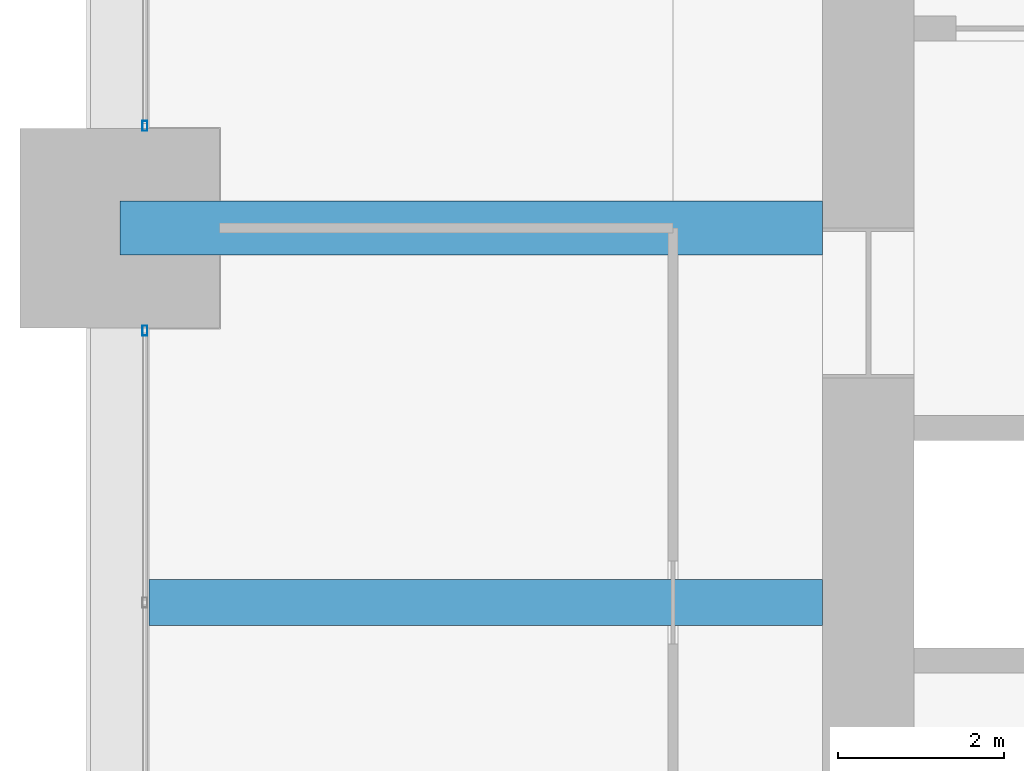
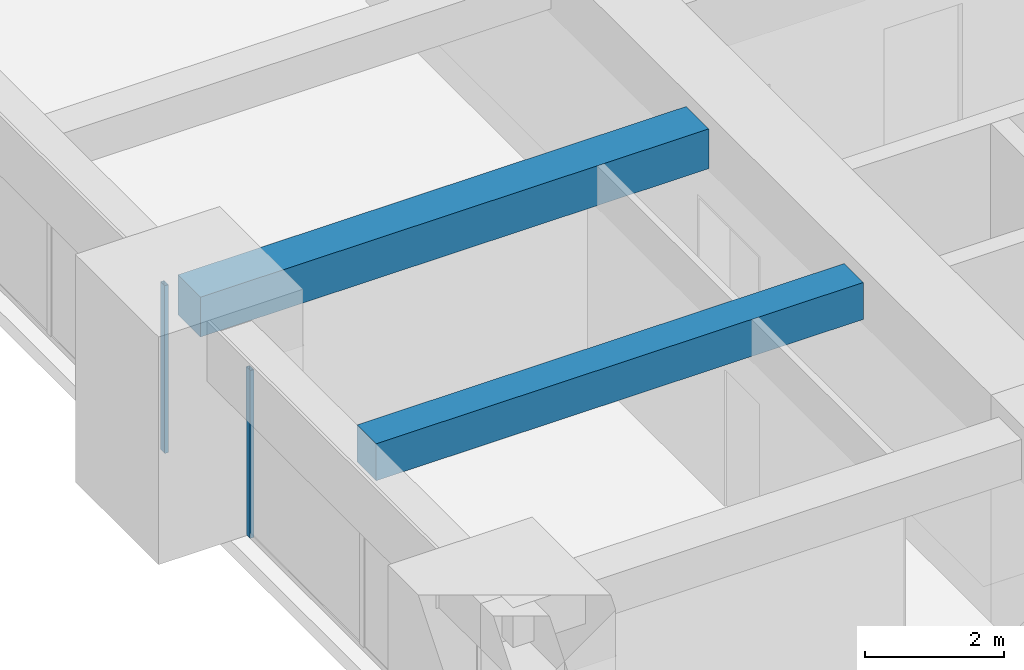
# One storey, part 15 of 45: 2 beams, 2 members, 2 elements without a shape of their own.
"""IFC4 building model written with IfcOpenShell, lengths in metres."""

from ifc_helpers import new_model, si_unit, direction, frame, origin, origin_2d, place, context, subcontext, project, spatial, rectangle, hollow_rectangle, extrude, material, material_profile, profile_set, type_object, element, aggregate, save


model = new_model("IFC4")

# Units and contexts
model_context = context("Model", 3, precision=1e-05, world=origin(), true_north=direction((0.0, 1.0)))
body_context = subcontext(model_context, "Body", "Model", "MODEL_VIEW")
ifc_project = project(units=[si_unit("LENGTHUNIT", "METRE"), si_unit("AREAUNIT", "SQUARE_METRE"), si_unit("VOLUMEUNIT", "CUBIC_METRE"), si_unit("PLANEANGLEUNIT", "RADIAN"), si_unit("MASSUNIT", "GRAM", prefix="KILO")], contexts=[model_context])

# Site, building, storey
site_placement = place(None, origin())
site = spatial("IfcSite", under=ifc_project, at=site_placement, CompositionType="ELEMENT")
building_placement = place(site_placement, origin())
building = spatial("IfcBuilding", under=site, at=building_placement, Name="Zorevar Civic Tower", CompositionType="ELEMENT")
storey_placement = place(building_placement, frame((0.0, 0.0, 247.39990234375)))
storey = spatial("IfcBuildingStorey", under=building, at=storey_placement, Name="L60", CompositionType="ELEMENT", Elevation=247.39990234375)

# Beams
ifc_material_1 = material(Name="Concrete C50/60", Category="concrete")
ifc_material_profile_1 = material_profile(ifc_material_1, rectangle(XDim=0.550048828125, YDim=0.64990234375, at=origin_2d()), Name="RC 550x650")
ifc_profile_set_1 = profile_set([ifc_material_profile_1], Name="Concrete C50/60")
beam_type_1 = type_object("IfcBeamType", Name="Beam RC 550x650", PredefinedType="BEAM", material=ifc_profile_set_1)
beam_1_placement = place(storey_placement, frame((9.35009765625, 22.5, 3.425048828125), z_axis=(1.0, 0.0, 0.0), x_axis=(0.0, 1.0, 0.0)))
element("IfcBeam", 1, at=beam_1_placement, inside=storey, type_object=beam_type_1, Name="Secondary beam L61", PredefinedType="BEAM", context=body_context, shape_type="SweptSolid", body=[
    extrude(rectangle(XDim=0.550048828125, YDim=0.64990234375, at=origin_2d()), origin(), (0.0, 0.0, 1.0), 8.099853515625),
])
ifc_material_2 = material(Name="Concrete C50/60", Category="concrete")
ifc_material_profile_2 = material_profile(ifc_material_2, rectangle(XDim=0.64990234375, YDim=0.699951171875, at=origin_2d()), Name="RC 650x700")
ifc_profile_set_2 = profile_set([ifc_material_profile_2], Name="Concrete C50/60")
beam_type_2 = type_object("IfcBeamType", Name="Beam RC 650x700", PredefinedType="BEAM", material=ifc_profile_set_2)
beam_2_placement = place(storey_placement, frame((9.0, 27.0, 3.400146484375), z_axis=(1.0, 0.0, 0.0), x_axis=(0.0, 1.0, 0.0)))
element("IfcBeam", 2, at=beam_2_placement, inside=storey, type_object=beam_type_2, Name="Girder L61", PredefinedType="BEAM", context=body_context, shape_type="SweptSolid", body=[
    extrude(rectangle(XDim=0.64990234375, YDim=0.699951171875, at=origin_2d()), origin(), (0.0, 0.0, 1.0), 8.449951171875),
])

# Curtain wall, member
ifc_material_3 = material(Name="Dark grey solar-control glass in black aluminium frame", Category="aluminium")
curtain_wall_type = type_object("IfcCurtainWallType", Name="Curtain wall CW5 top zone", PredefinedType="NOTDEFINED", material=ifc_material_3)
curtain_wall_1_placement = place(storey_placement, origin())
curtain_wall_1 = element("IfcCurtainWall", 3, at=curtain_wall_1_placement, inside=storey, type_object=curtain_wall_type, Name="CW5 L60", PredefinedType="NOTDEFINED")
ifc_material_4 = material(Name="Aluminium, black anodised", Category="aluminium")
ifc_material_profile_3 = material_profile(ifc_material_4, hollow_rectangle(XDim=0.06005859375, YDim=0.1201171875, WallThickness=0.0029296875, at=origin_2d()), Name="AL 120x60x3")
ifc_profile_set_3 = profile_set([ifc_material_profile_3], Name="Aluminium, black anodised")
member_type = type_object("IfcMemberType", Name="CW5 mullion AL 120x60x3", PredefinedType="MULLION", material=ifc_profile_set_3)
member_1_placement = place(storey_placement, frame((9.300048828125, 25.77001953125, 0.0), z_axis=(0.0, 0.0, 1.0), x_axis=(-1.0, 0.0, 0.0)))
member_1 = element("IfcMember", 4, at=member_1_placement, type_object=member_type, Name="CW5 mullion 3", PredefinedType="MULLION", context=body_context, shape_type="SweptSolid", body=[
    extrude(hollow_rectangle(XDim=0.06005859375, YDim=0.1201171875, WallThickness=0.0029296875, at=origin_2d()), origin(), (0.0, 0.0, 1.0), 2.9501953125),
])
aggregate(curtain_wall_1, [member_1])

curtain_wall_2_placement = place(storey_placement, origin())
curtain_wall_2 = element("IfcCurtainWall", 5, at=curtain_wall_2_placement, inside=storey, type_object=curtain_wall_type, Name="CW5 L60", PredefinedType="NOTDEFINED")
member_2_placement = place(storey_placement, frame((9.300048828125, 28.22998046875, 0.0), z_axis=(0.0, 0.0, 1.0), x_axis=(-1.0, 0.0, 0.0)))
member_2 = element("IfcMember", 6, at=member_2_placement, type_object=member_type, Name="CW5 mullion 1", PredefinedType="MULLION", context=body_context, shape_type="SweptSolid", body=[
    extrude(hollow_rectangle(XDim=0.06005859375, YDim=0.1201171875, WallThickness=0.0029296875, at=origin_2d()), origin(), (0.0, 0.0, 1.0), 2.9501953125),
])
aggregate(curtain_wall_2, [member_2])

save(model, "model.ifc")
